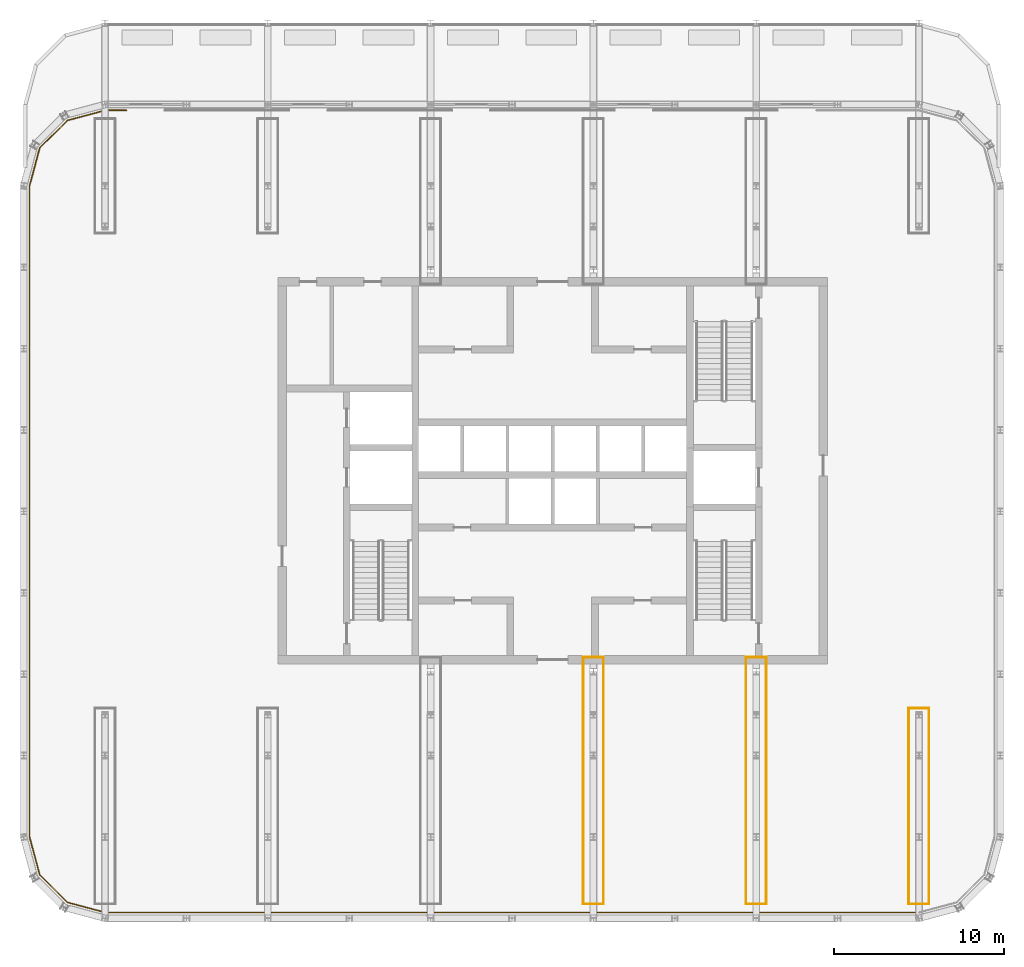
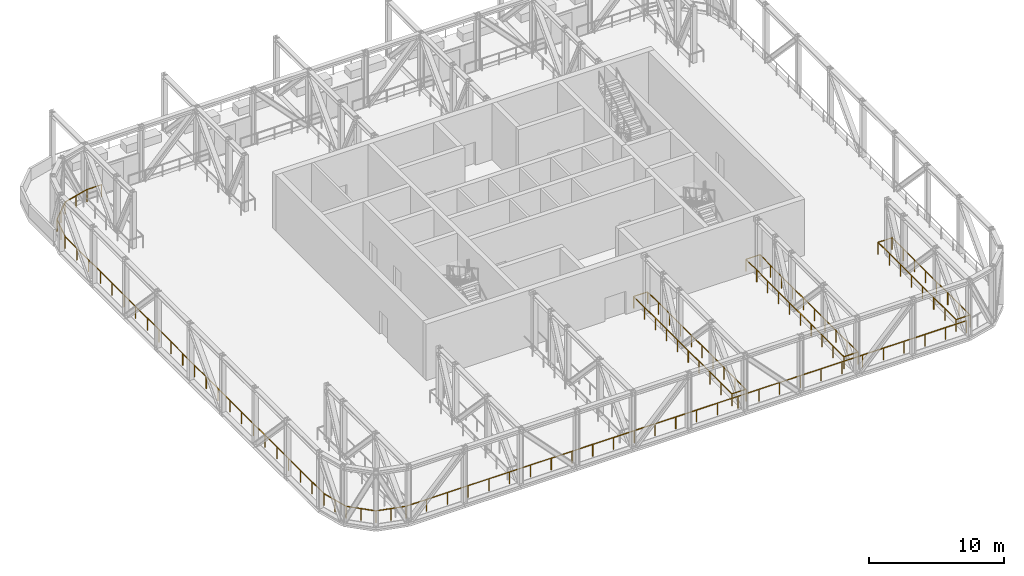
# One storey, part 12 of 16: 13 railings.
"""IFC4 building model written with IfcOpenShell, lengths in metres."""

import ifcopenshell
import ifcopenshell.guid

model = None  # the IFC model being written
_history = None  # IfcOwnerHistory: only IFC2X3 demands one
_inside = {}  # id of a spatial element -> (the spatial element, [elements in it])
_under = {}  # id of a project, library or spatial element -> (it, [spatial elements below it])
_declared = {}  # id of a project -> (the project, [libraries it declares])
_typed = {}  # id of a type object -> (the type object, [elements of that type])
_made_of = {}  # id of a material, layer set ... -> (it, [elements and type objects made of it])


def new_model(schema):
    """Start an empty IFC model of exactly this schema.

    Asked for "IFC4X3", IfcOpenShell would pick the latest addendum, in which some entities
    have other attributes; the version numbers below select the first issue.
    IFC2X3 requires an IfcOwnerHistory on every rooted entity: one is made here for all.
    """
    global model, _history
    if schema == "IFC4X3":
        model = ifcopenshell.file(schema_version=(4, 3, 0, 0))
    else:
        model = ifcopenshell.file(schema=schema)
    _inside.clear()
    _under.clear()
    _declared.clear()
    _typed.clear()
    _made_of.clear()
    _history = None
    if model.schema == "IFC2X3":
        org = make("IfcOrganization", Name="unknown")
        user = make(
            "IfcPersonAndOrganization",
            ThePerson=make("IfcPerson", FamilyName="unknown"),
            TheOrganization=org,
        )
        app = make(
            "IfcApplication",
            ApplicationDeveloper=org,
            Version="unknown",
            ApplicationFullName="unknown",
            ApplicationIdentifier="unknown",
        )
        _history = make(
            "IfcOwnerHistory",
            OwningUser=user,
            OwningApplication=app,
            ChangeAction="ADDED",
            CreationDate=0,
        )
    return model


def make(cls, **values):
    """One entity of the class cls with the attributes given. An attribute that is None is left unset."""
    return model.create_entity(
        cls, **{name: value for name, value in values.items() if value is not None}
    )


def rooted(cls, **values):
    """An entity with a GlobalId (a new one), such as an element, a storey or a relation."""
    return make(cls, GlobalId=ifcopenshell.guid.new(), OwnerHistory=_history, **values)


def si_unit(unit_type, name, prefix=None):
    """IfcSIUnit, for example si_unit("LENGTHUNIT", "METRE", prefix="MILLI")."""
    return make("IfcSIUnit", UnitType=unit_type, Prefix=prefix, Name=name)


def assignment(units):
    """IfcUnitAssignment: the units of a project."""
    return None if units is None else make("IfcUnitAssignment", Units=units)


def point(xyz):
    """IfcCartesianPoint."""
    return None if xyz is None else make("IfcCartesianPoint", Coordinates=xyz)


def direction(xyz):
    """IfcDirection."""
    return None if xyz is None else make("IfcDirection", DirectionRatios=xyz)


def frame(location, z_axis=None, x_axis=None):
    """IfcAxis2Placement3D, a coordinate frame: its origin and axes. An axis left out is left unset."""
    return make(
        "IfcAxis2Placement3D",
        Location=point(location),
        Axis=direction(z_axis),
        RefDirection=direction(x_axis),
    )


def frame_2d(location, x_axis=None):
    """IfcAxis2Placement2D, a coordinate frame in the plane: its origin and x axis."""
    return make(
        "IfcAxis2Placement2D", Location=point(location), RefDirection=direction(x_axis)
    )


def origin():
    """The frame at (0, 0, 0) with its axes left unset."""
    return frame((0.0, 0.0, 0.0))


def origin_2d():
    """The frame at (0, 0) in the plane with its x axis left unset."""
    return frame_2d((0.0, 0.0))


def place(relative_to, where):
    """IfcLocalPlacement: puts the frame where relative to a parent placement (None: the world)."""
    return make(
        "IfcLocalPlacement", PlacementRelTo=relative_to, RelativePlacement=where
    )


def context(
    kind, dimensions, precision=None, world=None, true_north=None, identifier=None
):
    """IfcGeometricRepresentationContext, for example the 3D "Model" context."""
    return make(
        "IfcGeometricRepresentationContext",
        ContextIdentifier=identifier,
        ContextType=kind,
        CoordinateSpaceDimension=dimensions,
        Precision=precision,
        WorldCoordinateSystem=world,
        TrueNorth=true_north,
    )


def subcontext(parent, identifier, kind, view, scale=None):
    """IfcGeometricRepresentationSubContext, for example "Body" below "Model"."""
    return make(
        "IfcGeometricRepresentationSubContext",
        ContextIdentifier=identifier,
        ContextType=kind,
        ParentContext=parent,
        TargetScale=scale,
        TargetView=view,
    )


def project(units=None, contexts=None):
    """IfcProject with its units and contexts."""
    return rooted(
        "IfcProject",
        Name="project",
        RepresentationContexts=contexts,
        UnitsInContext=assignment(units),
    )


def spatial(cls, under=None, at=None, **own):
    """A site, building, storey or space (cls), placed at a placement, below another one or the project."""
    s = rooted(cls, ObjectPlacement=at, **own)
    if under is not None:
        _under.setdefault(under.id(), (under, []))[1].append(s)
    return s


def profile(cls, at=None, kind="AREA", **sizes):
    """A parametric profile (cls). Its sizes go by their IFC names, for example OverallWidth=200.0."""
    return make(cls, ProfileType=kind, Position=at, **sizes)


def circle(**sizes):
    """IfcCircleProfileDef."""
    return profile("IfcCircleProfileDef", **sizes)


def extrude(swept, where, along, depth):
    """IfcExtrudedAreaSolid: the profile swept, set in the frame where, extruded along a direction by depth."""
    return make(
        "IfcExtrudedAreaSolid",
        SweptArea=swept,
        Position=where,
        ExtrudedDirection=direction(along),
        Depth=depth,
    )


def shape(context_of_items, identifier, shape_type, items):
    """IfcShapeRepresentation: the items that make up one representation, for example the "Body"."""
    return make(
        "IfcShapeRepresentation",
        ContextOfItems=context_of_items,
        RepresentationIdentifier=identifier,
        RepresentationType=shape_type,
        Items=items,
    )


def material(Name=None, Category=None):
    """IfcMaterial."""
    return make("IfcMaterial", Name=Name, Category=Category)


def made_of(thing, what):
    """Note that an element or type object is made of a material, layer set ...; save() writes the relation."""
    if what is not None:
        _made_of.setdefault(what.id(), (what, []))[1].append(thing)
    return thing


def type_object(cls, material=None, **own):
    """A type object (cls), such as IfcWallType, which elements share."""
    return made_of(rooted(cls, **own), material)


def element(
    cls,
    number,
    at=None,
    inside=None,
    cuts=None,
    type_object=None,
    material=None,
    context=None,
    identifier="Body",
    shape_type=None,
    held_by="IfcProductDefinitionShape",
    body=None,
    shapes=None,
    **own,
):
    """One element of the class cls, such as IfcWall. Its Tag is "e" and its number.

    at: its placement. inside: the storey or other place that contains it. cuts: it is an
    opening in that element (IfcRelVoidsElement). A single representation is given by context,
    identifier, shape_type and body (its items); several are given by shapes. held_by: the class
    of the entity that holds the representations. save() writes the other relations.
    """
    e = rooted(cls, Tag="e%d" % number, ObjectPlacement=at, **own)
    if body is not None:
        shapes = [shape(context, identifier, shape_type, body)]
    if shapes is not None:
        e.Representation = make(held_by, Representations=shapes)
    if inside is not None:
        _inside.setdefault(inside.id(), (inside, []))[1].append(e)
    if cuts is not None:
        rooted(
            "IfcRelVoidsElement", RelatingBuildingElement=cuts, RelatedOpeningElement=e
        )
    if type_object is not None:
        _typed.setdefault(type_object.id(), (type_object, []))[1].append(e)
    return made_of(e, material)


def aggregate(whole, parts):
    """IfcRelAggregates: a whole, such as a stair, and the parts it consists of."""
    return rooted("IfcRelAggregates", RelatingObject=whole, RelatedObjects=parts)


def save(model, path):
    """Write the relations noted so far, then the file.

    IfcRelAggregates (storeys below a building ...), IfcRelContainedInSpatialStructure (elements
    in a storey), IfcRelDefinesByType, IfcRelAssociatesMaterial and IfcRelDeclares: one each for
    every whole, place, type object, material and project.
    """
    for whole, parts in _under.values():
        aggregate(whole, parts)
    for where, things in _inside.values():
        rooted(
            "IfcRelContainedInSpatialStructure",
            RelatedElements=things,
            RelatingStructure=where,
        )
    for kind, things in _typed.values():
        rooted("IfcRelDefinesByType", RelatedObjects=things, RelatingType=kind)
    for what, things in _made_of.values():
        rooted("IfcRelAssociatesMaterial", RelatedObjects=things, RelatingMaterial=what)
    for by, libraries in _declared.values():
        rooted("IfcRelDeclares", RelatingContext=by, RelatedDefinitions=libraries)
    model.write(path)


model = new_model("IFC4")

# Units and contexts
model_context = context("Model", 3, precision=1e-05, world=origin(), true_north=direction((0.0, 1.0)))
body_context = subcontext(model_context, "Body", "Model", "MODEL_VIEW")
ifc_project = project(units=[si_unit("LENGTHUNIT", "METRE"), si_unit("AREAUNIT", "SQUARE_METRE"), si_unit("VOLUMEUNIT", "CUBIC_METRE"), si_unit("PLANEANGLEUNIT", "RADIAN"), si_unit("MASSUNIT", "GRAM", prefix="KILO")], contexts=[model_context])

# Site, building, storey
site_placement = place(None, origin())
site = spatial("IfcSite", under=ifc_project, at=site_placement, CompositionType="ELEMENT")
building_placement = place(site_placement, origin())
building = spatial("IfcBuilding", under=site, at=building_placement, Name="Madar Terraces", CompositionType="ELEMENT")
storey_placement = place(building_placement, frame((0.0, 0.0, 263.199951171875)))
storey = spatial("IfcBuildingStorey", under=building, at=storey_placement, Name="L69", CompositionType="ELEMENT", Elevation=263.199951171875)

# Railings
ifc_material = material(Name="Glass, safety glazing, with stainless steel posts", Category="steel")
railing_type = type_object("IfcRailingType", Name="Balcony glass guard 1100", PredefinedType="GUARDRAIL", material=ifc_material)
railing_placement = place(storey_placement, frame((6.051513671875, 47.65185546875, 0.0)))
element("IfcRailing", 1, at=railing_placement, inside=storey, type_object=railing_type, Name="Gallery guard", PredefinedType="GUARDRAIL", context=body_context, shape_type="SweptSolid", body=[
    extrude(circle(Radius=0.02392578125, at=origin_2d()), frame((0.0, 0.0, 1.076171875), z_axis=(-1.0, 0.0, 0.0), x_axis=(0.0, -1.0, 0.0)), (0.0, 0.0, 1.0), 1.25146484375),
    extrude(circle(Radius=0.02392578125, at=origin_2d()), frame((-1.25146484375, 0.0, 1.076171875), z_axis=(-0.965922986505, -0.258829643088, 0.0), x_axis=(0.258829643088, -0.965922986505, 0.0)), (0.0, 0.0, 1.0), 2.304443359375),
    extrude(circle(Radius=0.02392578125, at=origin_2d()), frame((-3.477294921875, -0.596435546875, 1.076171875), z_axis=(-0.707106781187, -0.707106781187, 0.0), x_axis=(0.707106781187, -0.707106781187, 0.0)), (0.0, 0.0, 1.0), 2.3046875),
    extrude(circle(Radius=0.02392578125, at=origin_2d()), frame((-5.10693359375, -2.22607421875, 1.076171875), z_axis=(-0.258829643088, -0.965922986505, 0.0), x_axis=(0.965922986505, -0.258829643088, 0.0)), (0.0, 0.0, 1.0), 2.304443359375),
    extrude(circle(Radius=0.02392578125, at=origin_2d()), frame((-5.703369140625, -4.451904296875, 1.076171875), z_axis=(0.0, -1.0, 0.0), x_axis=(1.0, 0.0, 0.0)), (0.0, 0.0, 1.0), 38.39990234375),
    extrude(circle(Radius=0.02392578125, at=origin_2d()), frame((-5.703369140625, -42.851806640625, 1.076171875), z_axis=(0.258829643088, -0.965922986505, 0.0), x_axis=(0.965922986505, 0.258829643088, 0.0)), (0.0, 0.0, 1.0), 2.304443359375),
    extrude(circle(Radius=0.02392578125, at=origin_2d()), frame((-5.10693359375, -45.07763671875, 1.076171875), z_axis=(0.707106781187, -0.707106781187, 0.0), x_axis=(0.707106781187, 0.707106781187, 0.0)), (0.0, 0.0, 1.0), 2.3046875),
    extrude(circle(Radius=0.02392578125, at=origin_2d()), frame((-3.477294921875, -46.707275390625, 1.076171875), z_axis=(0.965922986505, -0.258829643088, 0.0), x_axis=(0.258829643088, 0.965922986505, 0.0)), (0.0, 0.0, 1.0), 2.304443359375),
    extrude(circle(Radius=0.02392578125, at=origin_2d()), frame((-1.25146484375, -47.3037109375, 1.076171875), z_axis=(1.0, 0.0, 0.0), x_axis=(0.0, 1.0, 0.0)), (0.0, 0.0, 1.0), 48.0),
    extrude(circle(Radius=0.02099609375, at=origin_2d()), origin(), (0.0, 0.0, 1.0), 1.052001953125),
    extrude(circle(Radius=0.02099609375, at=origin_2d()), frame((-1.25146484375, 0.0, 0.0)), (0.0, 0.0, 1.0), 1.052001953125),
    extrude(circle(Radius=0.02099609375, at=origin_2d()), frame((-2.3642578125, -0.29833984375, 0.0)), (0.0, 0.0, 1.0), 1.052001953125),
    extrude(circle(Radius=0.02099609375, at=origin_2d()), frame((-3.477294921875, -0.596435546875, 0.0)), (0.0, 0.0, 1.0), 1.052001953125),
    extrude(circle(Radius=0.02099609375, at=origin_2d()), frame((-4.2919921875, -1.4111328125, 0.0)), (0.0, 0.0, 1.0), 1.052001953125),
    extrude(circle(Radius=0.02099609375, at=origin_2d()), frame((-5.10693359375, -2.22607421875, 0.0)), (0.0, 0.0, 1.0), 1.052001953125),
    extrude(circle(Radius=0.02099609375, at=origin_2d()), frame((-5.4052734375, -3.3388671875, 0.0)), (0.0, 0.0, 1.0), 1.052001953125),
    extrude(circle(Radius=0.02099609375, at=origin_2d()), frame((-5.703369140625, -4.451904296875, 0.0)), (0.0, 0.0, 1.0), 1.052001953125),
    extrude(circle(Radius=0.02099609375, at=origin_2d()), frame((-5.703369140625, -6.197265625, 0.0)), (0.0, 0.0, 1.0), 1.052001953125),
    extrude(circle(Radius=0.02099609375, at=origin_2d()), frame((-5.703369140625, -7.94287109375, 0.0)), (0.0, 0.0, 1.0), 1.052001953125),
    extrude(circle(Radius=0.02099609375, at=origin_2d()), frame((-5.703369140625, -9.688232421875, 0.0)), (0.0, 0.0, 1.0), 1.052001953125),
    extrude(circle(Radius=0.02099609375, at=origin_2d()), frame((-5.703369140625, -11.43359375, 0.0)), (0.0, 0.0, 1.0), 1.052001953125),
    extrude(circle(Radius=0.02099609375, at=origin_2d()), frame((-5.703369140625, -13.17919921875, 0.0)), (0.0, 0.0, 1.0), 1.052001953125),
    extrude(circle(Radius=0.02099609375, at=origin_2d()), frame((-5.703369140625, -14.924560546875, 0.0)), (0.0, 0.0, 1.0), 1.052001953125),
    extrude(circle(Radius=0.02099609375, at=origin_2d()), frame((-5.703369140625, -16.670166015625, 0.0)), (0.0, 0.0, 1.0), 1.052001953125),
    extrude(circle(Radius=0.02099609375, at=origin_2d()), frame((-5.703369140625, -18.41552734375, 0.0)), (0.0, 0.0, 1.0), 1.052001953125),
    extrude(circle(Radius=0.02099609375, at=origin_2d()), frame((-5.703369140625, -20.160888671875, 0.0)), (0.0, 0.0, 1.0), 1.052001953125),
    extrude(circle(Radius=0.02099609375, at=origin_2d()), frame((-5.703369140625, -21.906494140625, 0.0)), (0.0, 0.0, 1.0), 1.052001953125),
    extrude(circle(Radius=0.02099609375, at=origin_2d()), frame((-5.703369140625, -23.65185546875, 0.0)), (0.0, 0.0, 1.0), 1.052001953125),
    extrude(circle(Radius=0.02099609375, at=origin_2d()), frame((-5.703369140625, -25.397216796875, 0.0)), (0.0, 0.0, 1.0), 1.052001953125),
    extrude(circle(Radius=0.02099609375, at=origin_2d()), frame((-5.703369140625, -27.142822265625, 0.0)), (0.0, 0.0, 1.0), 1.052001953125),
    extrude(circle(Radius=0.02099609375, at=origin_2d()), frame((-5.703369140625, -28.88818359375, 0.0)), (0.0, 0.0, 1.0), 1.052001953125),
    extrude(circle(Radius=0.02099609375, at=origin_2d()), frame((-5.703369140625, -30.633544921875, 0.0)), (0.0, 0.0, 1.0), 1.052001953125),
    extrude(circle(Radius=0.02099609375, at=origin_2d()), frame((-5.703369140625, -32.379150390625, 0.0)), (0.0, 0.0, 1.0), 1.052001953125),
    extrude(circle(Radius=0.02099609375, at=origin_2d()), frame((-5.703369140625, -34.12451171875, 0.0)), (0.0, 0.0, 1.0), 1.052001953125),
    extrude(circle(Radius=0.02099609375, at=origin_2d()), frame((-5.703369140625, -35.8701171875, 0.0)), (0.0, 0.0, 1.0), 1.052001953125),
    extrude(circle(Radius=0.02099609375, at=origin_2d()), frame((-5.703369140625, -37.615478515625, 0.0)), (0.0, 0.0, 1.0), 1.052001953125),
    extrude(circle(Radius=0.02099609375, at=origin_2d()), frame((-5.703369140625, -39.36083984375, 0.0)), (0.0, 0.0, 1.0), 1.052001953125),
    extrude(circle(Radius=0.02099609375, at=origin_2d()), frame((-5.703369140625, -41.1064453125, 0.0)), (0.0, 0.0, 1.0), 1.052001953125),
    extrude(circle(Radius=0.02099609375, at=origin_2d()), frame((-5.703369140625, -42.851806640625, 0.0)), (0.0, 0.0, 1.0), 1.052001953125),
    extrude(circle(Radius=0.02099609375, at=origin_2d()), frame((-5.4052734375, -43.96484375, 0.0)), (0.0, 0.0, 1.0), 1.052001953125),
    extrude(circle(Radius=0.02099609375, at=origin_2d()), frame((-5.10693359375, -45.07763671875, 0.0)), (0.0, 0.0, 1.0), 1.052001953125),
    extrude(circle(Radius=0.02099609375, at=origin_2d()), frame((-4.2919921875, -45.892578125, 0.0)), (0.0, 0.0, 1.0), 1.052001953125),
    extrude(circle(Radius=0.02099609375, at=origin_2d()), frame((-3.477294921875, -46.707275390625, 0.0)), (0.0, 0.0, 1.0), 1.052001953125),
    extrude(circle(Radius=0.02099609375, at=origin_2d()), frame((-2.3642578125, -47.00537109375, 0.0)), (0.0, 0.0, 1.0), 1.052001953125),
    extrude(circle(Radius=0.02099609375, at=origin_2d()), frame((-1.25146484375, -47.3037109375, 0.0)), (0.0, 0.0, 1.0), 1.052001953125),
    extrude(circle(Radius=0.02099609375, at=origin_2d()), frame((0.5263671875, -47.3037109375, 0.0)), (0.0, 0.0, 1.0), 1.052001953125),
    extrude(circle(Radius=0.02099609375, at=origin_2d()), frame((2.30419921875, -47.3037109375, 0.0)), (0.0, 0.0, 1.0), 1.052001953125),
    extrude(circle(Radius=0.02099609375, at=origin_2d()), frame((4.081787109375, -47.3037109375, 0.0)), (0.0, 0.0, 1.0), 1.052001953125),
    extrude(circle(Radius=0.02099609375, at=origin_2d()), frame((5.859619140625, -47.3037109375, 0.0)), (0.0, 0.0, 1.0), 1.052001953125),
    extrude(circle(Radius=0.02099609375, at=origin_2d()), frame((7.637451171875, -47.3037109375, 0.0)), (0.0, 0.0, 1.0), 1.052001953125),
    extrude(circle(Radius=0.02099609375, at=origin_2d()), frame((9.415283203125, -47.3037109375, 0.0)), (0.0, 0.0, 1.0), 1.052001953125),
    extrude(circle(Radius=0.02099609375, at=origin_2d()), frame((11.19287109375, -47.3037109375, 0.0)), (0.0, 0.0, 1.0), 1.052001953125),
    extrude(circle(Radius=0.02099609375, at=origin_2d()), frame((12.970703125, -47.3037109375, 0.0)), (0.0, 0.0, 1.0), 1.052001953125),
    extrude(circle(Radius=0.02099609375, at=origin_2d()), frame((14.74853515625, -47.3037109375, 0.0)), (0.0, 0.0, 1.0), 1.052001953125),
    extrude(circle(Radius=0.02099609375, at=origin_2d()), frame((16.5263671875, -47.3037109375, 0.0)), (0.0, 0.0, 1.0), 1.052001953125),
    extrude(circle(Radius=0.02099609375, at=origin_2d()), frame((18.30419921875, -47.3037109375, 0.0)), (0.0, 0.0, 1.0), 1.052001953125),
    extrude(circle(Radius=0.02099609375, at=origin_2d()), frame((20.081787109375, -47.3037109375, 0.0)), (0.0, 0.0, 1.0), 1.052001953125),
    extrude(circle(Radius=0.02099609375, at=origin_2d()), frame((21.859619140625, -47.3037109375, 0.0)), (0.0, 0.0, 1.0), 1.052001953125),
    extrude(circle(Radius=0.02099609375, at=origin_2d()), frame((23.637451171875, -47.3037109375, 0.0)), (0.0, 0.0, 1.0), 1.052001953125),
    extrude(circle(Radius=0.02099609375, at=origin_2d()), frame((25.415283203125, -47.3037109375, 0.0)), (0.0, 0.0, 1.0), 1.052001953125),
    extrude(circle(Radius=0.02099609375, at=origin_2d()), frame((27.19287109375, -47.3037109375, 0.0)), (0.0, 0.0, 1.0), 1.052001953125),
    extrude(circle(Radius=0.02099609375, at=origin_2d()), frame((28.970703125, -47.3037109375, 0.0)), (0.0, 0.0, 1.0), 1.052001953125),
    extrude(circle(Radius=0.02099609375, at=origin_2d()), frame((30.74853515625, -47.3037109375, 0.0)), (0.0, 0.0, 1.0), 1.052001953125),
    extrude(circle(Radius=0.02099609375, at=origin_2d()), frame((32.5263671875, -47.3037109375, 0.0)), (0.0, 0.0, 1.0), 1.052001953125),
    extrude(circle(Radius=0.02099609375, at=origin_2d()), frame((34.30419921875, -47.3037109375, 0.0)), (0.0, 0.0, 1.0), 1.052001953125),
    extrude(circle(Radius=0.02099609375, at=origin_2d()), frame((36.081787109375, -47.3037109375, 0.0)), (0.0, 0.0, 1.0), 1.052001953125),
    extrude(circle(Radius=0.02099609375, at=origin_2d()), frame((37.859619140625, -47.3037109375, 0.0)), (0.0, 0.0, 1.0), 1.052001953125),
    extrude(circle(Radius=0.02099609375, at=origin_2d()), frame((39.637451171875, -47.3037109375, 0.0)), (0.0, 0.0, 1.0), 1.052001953125),
    extrude(circle(Radius=0.02099609375, at=origin_2d()), frame((41.415283203125, -47.3037109375, 0.0)), (0.0, 0.0, 1.0), 1.052001953125),
    extrude(circle(Radius=0.02099609375, at=origin_2d()), frame((43.19287109375, -47.3037109375, 0.0)), (0.0, 0.0, 1.0), 1.052001953125),
    extrude(circle(Radius=0.02099609375, at=origin_2d()), frame((44.970703125, -47.3037109375, 0.0)), (0.0, 0.0, 1.0), 1.052001953125),
    extrude(circle(Radius=0.02099609375, at=origin_2d()), frame((46.74853515625, -47.3037109375, 0.0)), (0.0, 0.0, 1.0), 1.052001953125),
])
for number, where, name in (
    (2, (33.001953125, 0.84814453125, 0.0), "Slot guard"),
    (3, (34.197998046875, 0.84814453125, 0.0), "Slot guard"),
):
    element("IfcRailing", number, at=place(storey_placement, frame(where)), inside=storey, type_object=railing_type, Name=name, PredefinedType="GUARDRAIL", context=body_context, shape_type="SweptSolid", body=[
        extrude(circle(Radius=0.02392578125, at=origin_2d()), frame((0.0, 0.0, 1.076171875), z_axis=(0.0, 1.0, 0.0), x_axis=(-1.0, 0.0, 0.0)), (0.0, 0.0, 1.0), 14.5498046875),
        extrude(circle(Radius=0.02099609375, at=origin_2d()), origin(), (0.0, 0.0, 1.0), 1.052001953125),
        extrude(circle(Radius=0.02099609375, at=origin_2d()), frame((0.0, 1.61669921875, 0.0)), (0.0, 0.0, 1.0), 1.052001953125),
        extrude(circle(Radius=0.02099609375, at=origin_2d()), frame((0.0, 3.2333984375, 0.0)), (0.0, 0.0, 1.0), 1.052001953125),
        extrude(circle(Radius=0.02099609375, at=origin_2d()), frame((0.0, 4.849853515625, 0.0)), (0.0, 0.0, 1.0), 1.052001953125),
        extrude(circle(Radius=0.02099609375, at=origin_2d()), frame((0.0, 6.466552734375, 0.0)), (0.0, 0.0, 1.0), 1.052001953125),
        extrude(circle(Radius=0.02099609375, at=origin_2d()), frame((0.0, 8.083251953125, 0.0)), (0.0, 0.0, 1.0), 1.052001953125),
        extrude(circle(Radius=0.02099609375, at=origin_2d()), frame((0.0, 9.699951171875, 0.0)), (0.0, 0.0, 1.0), 1.052001953125),
        extrude(circle(Radius=0.02099609375, at=origin_2d()), frame((0.0, 11.31640625, 0.0)), (0.0, 0.0, 1.0), 1.052001953125),
        extrude(circle(Radius=0.02099609375, at=origin_2d()), frame((0.0, 12.93310546875, 0.0)), (0.0, 0.0, 1.0), 1.052001953125),
        extrude(circle(Radius=0.02099609375, at=origin_2d()), frame((0.0, 14.5498046875, 0.0)), (0.0, 0.0, 1.0), 1.052001953125),
    ])
for number, where, name in (
    (4, (33.001953125, 0.84814453125, 0.0), "Slot guard"),
    (5, (33.001953125, 15.39794921875, 0.0), "Slot guard"),
):
    element("IfcRailing", number, at=place(storey_placement, frame(where)), inside=storey, type_object=railing_type, Name=name, PredefinedType="GUARDRAIL", context=body_context, shape_type="SweptSolid", body=[
        extrude(circle(Radius=0.02392578125, at=origin_2d()), frame((0.0, 0.0, 1.076171875), z_axis=(1.0, 0.0, 0.0), x_axis=(0.0, 1.0, 0.0)), (0.0, 0.0, 1.0), 1.196044921875),
        extrude(circle(Radius=0.02099609375, at=origin_2d()), origin(), (0.0, 0.0, 1.0), 1.052001953125),
        extrude(circle(Radius=0.02099609375, at=origin_2d()), frame((1.196044921875, 0.0, 0.0)), (0.0, 0.0, 1.0), 1.052001953125),
    ])
for number, where, name in (
    (6, (42.601806640625, 0.84814453125, 0.0), "Slot guard"),
    (7, (43.798095703125, 0.84814453125, 0.0), "Slot guard"),
):
    element("IfcRailing", number, at=place(storey_placement, frame(where)), inside=storey, type_object=railing_type, Name=name, PredefinedType="GUARDRAIL", context=body_context, shape_type="SweptSolid", body=[
        extrude(circle(Radius=0.02392578125, at=origin_2d()), frame((0.0, 0.0, 1.076171875), z_axis=(0.0, 1.0, 0.0), x_axis=(-1.0, 0.0, 0.0)), (0.0, 0.0, 1.0), 14.5498046875),
        extrude(circle(Radius=0.02099609375, at=origin_2d()), origin(), (0.0, 0.0, 1.0), 1.052001953125),
        extrude(circle(Radius=0.02099609375, at=origin_2d()), frame((0.0, 1.61669921875, 0.0)), (0.0, 0.0, 1.0), 1.052001953125),
        extrude(circle(Radius=0.02099609375, at=origin_2d()), frame((0.0, 3.2333984375, 0.0)), (0.0, 0.0, 1.0), 1.052001953125),
        extrude(circle(Radius=0.02099609375, at=origin_2d()), frame((0.0, 4.849853515625, 0.0)), (0.0, 0.0, 1.0), 1.052001953125),
        extrude(circle(Radius=0.02099609375, at=origin_2d()), frame((0.0, 6.466552734375, 0.0)), (0.0, 0.0, 1.0), 1.052001953125),
        extrude(circle(Radius=0.02099609375, at=origin_2d()), frame((0.0, 8.083251953125, 0.0)), (0.0, 0.0, 1.0), 1.052001953125),
        extrude(circle(Radius=0.02099609375, at=origin_2d()), frame((0.0, 9.699951171875, 0.0)), (0.0, 0.0, 1.0), 1.052001953125),
        extrude(circle(Radius=0.02099609375, at=origin_2d()), frame((0.0, 11.31640625, 0.0)), (0.0, 0.0, 1.0), 1.052001953125),
        extrude(circle(Radius=0.02099609375, at=origin_2d()), frame((0.0, 12.93310546875, 0.0)), (0.0, 0.0, 1.0), 1.052001953125),
        extrude(circle(Radius=0.02099609375, at=origin_2d()), frame((0.0, 14.5498046875, 0.0)), (0.0, 0.0, 1.0), 1.052001953125),
    ])
for number, where, name in (
    (8, (42.601806640625, 0.84814453125, 0.0), "Slot guard"),
    (9, (42.601806640625, 15.39794921875, 0.0), "Slot guard"),
):
    element("IfcRailing", number, at=place(storey_placement, frame(where)), inside=storey, type_object=railing_type, Name=name, PredefinedType="GUARDRAIL", context=body_context, shape_type="SweptSolid", body=[
        extrude(circle(Radius=0.02392578125, at=origin_2d()), frame((0.0, 0.0, 1.076171875), z_axis=(1.0, 0.0, 0.0), x_axis=(0.0, 1.0, 0.0)), (0.0, 0.0, 1.0), 1.1962890625),
        extrude(circle(Radius=0.02099609375, at=origin_2d()), origin(), (0.0, 0.0, 1.0), 1.052001953125),
        extrude(circle(Radius=0.02099609375, at=origin_2d()), frame((1.1962890625, 0.0, 0.0)), (0.0, 0.0, 1.0), 1.052001953125),
    ])
for number, where, name in (
    (10, (52.201904296875, 0.84814453125, 0.0), "Slot guard"),
    (11, (53.398193359375, 0.84814453125, 0.0), "Slot guard"),
):
    element("IfcRailing", number, at=place(storey_placement, frame(where)), inside=storey, type_object=railing_type, Name=name, PredefinedType="GUARDRAIL", context=body_context, shape_type="SweptSolid", body=[
        extrude(circle(Radius=0.02392578125, at=origin_2d()), frame((0.0, 0.0, 1.076171875), z_axis=(0.0, 1.0, 0.0), x_axis=(-1.0, 0.0, 0.0)), (0.0, 0.0, 1.0), 11.5498046875),
        extrude(circle(Radius=0.02099609375, at=origin_2d()), origin(), (0.0, 0.0, 1.0), 1.052001953125),
        extrude(circle(Radius=0.02099609375, at=origin_2d()), frame((0.0, 1.64990234375, 0.0)), (0.0, 0.0, 1.0), 1.052001953125),
        extrude(circle(Radius=0.02099609375, at=origin_2d()), frame((0.0, 3.300048828125, 0.0)), (0.0, 0.0, 1.0), 1.052001953125),
        extrude(circle(Radius=0.02099609375, at=origin_2d()), frame((0.0, 4.949951171875, 0.0)), (0.0, 0.0, 1.0), 1.052001953125),
        extrude(circle(Radius=0.02099609375, at=origin_2d()), frame((0.0, 6.599853515625, 0.0)), (0.0, 0.0, 1.0), 1.052001953125),
        extrude(circle(Radius=0.02099609375, at=origin_2d()), frame((0.0, 8.249755859375, 0.0)), (0.0, 0.0, 1.0), 1.052001953125),
        extrude(circle(Radius=0.02099609375, at=origin_2d()), frame((0.0, 9.89990234375, 0.0)), (0.0, 0.0, 1.0), 1.052001953125),
        extrude(circle(Radius=0.02099609375, at=origin_2d()), frame((0.0, 11.5498046875, 0.0)), (0.0, 0.0, 1.0), 1.052001953125),
    ])
for number, where, name in (
    (12, (52.201904296875, 0.84814453125, 0.0), "Slot guard"),
    (13, (52.201904296875, 12.39794921875, 0.0), "Slot guard"),
):
    element("IfcRailing", number, at=place(storey_placement, frame(where)), inside=storey, type_object=railing_type, Name=name, PredefinedType="GUARDRAIL", context=body_context, shape_type="SweptSolid", body=[
        extrude(circle(Radius=0.02392578125, at=origin_2d()), frame((0.0, 0.0, 1.076171875), z_axis=(1.0, 0.0, 0.0), x_axis=(0.0, 1.0, 0.0)), (0.0, 0.0, 1.0), 1.1962890625),
        extrude(circle(Radius=0.02099609375, at=origin_2d()), origin(), (0.0, 0.0, 1.0), 1.052001953125),
        extrude(circle(Radius=0.02099609375, at=origin_2d()), frame((1.1962890625, 0.0, 0.0)), (0.0, 0.0, 1.0), 1.052001953125),
    ])

save(model, "model.ifc")
